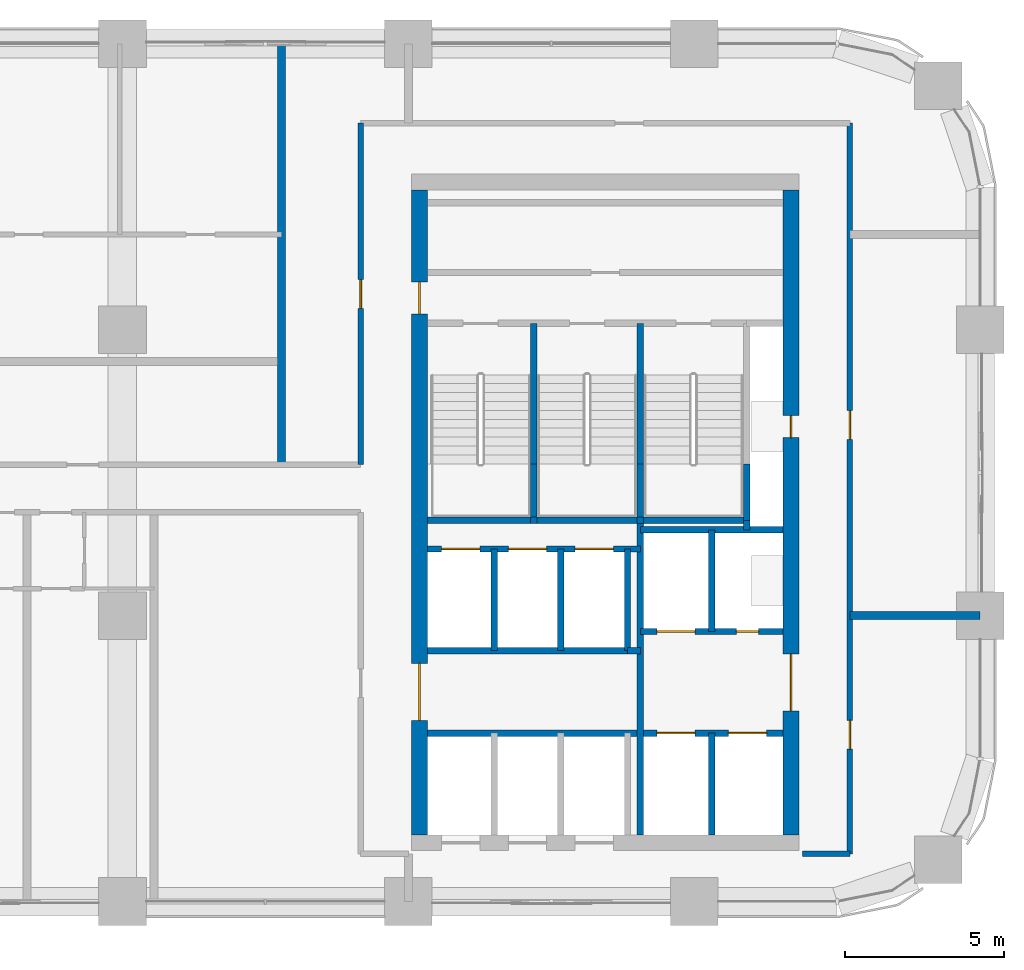
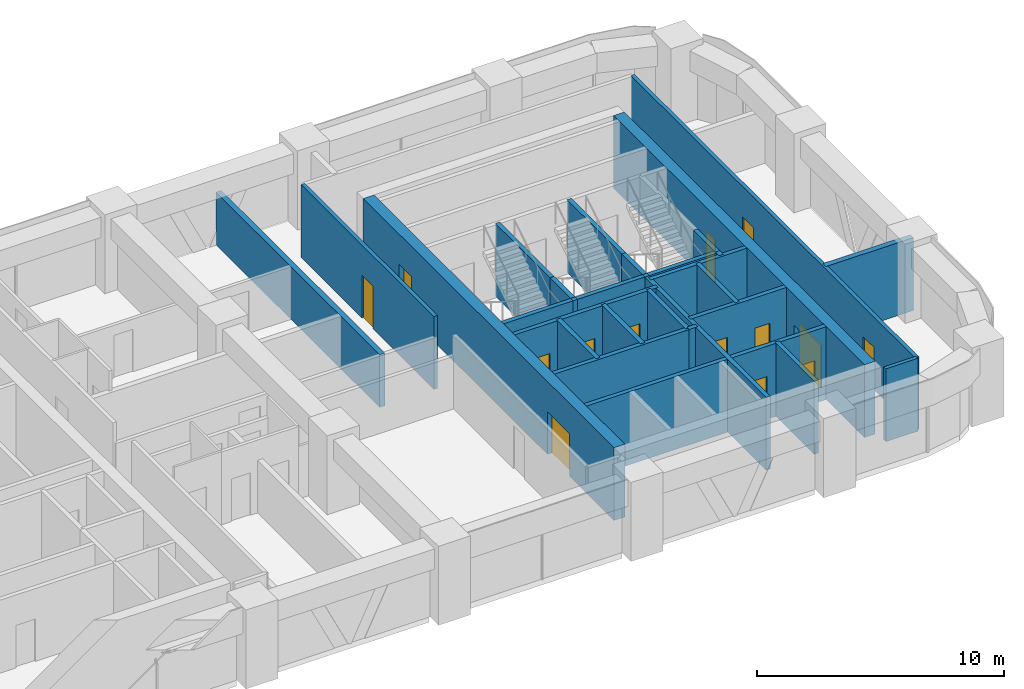
# One storey, part 11 of 14: 30 walls, 14 doors, 14 openings.
"""IFC4 building model written with IfcOpenShell, lengths in metres."""

from ifc_helpers import new_model, si_unit, direction, frame, frame_2d, origin, place, context, subcontext, project, spatial, rectangle, extrude, material, layer, layer_set, type_object, element, fill, save


model = new_model("IFC4")

# Units and contexts
model_context = context("Model", 3, precision=1e-05, world=origin(), true_north=direction((0.0, 1.0)))
body_context = subcontext(model_context, "Body", "Model", "MODEL_VIEW")
ifc_project = project(units=[si_unit("LENGTHUNIT", "METRE"), si_unit("AREAUNIT", "SQUARE_METRE"), si_unit("VOLUMEUNIT", "CUBIC_METRE"), si_unit("PLANEANGLEUNIT", "RADIAN"), si_unit("MASSUNIT", "GRAM", prefix="KILO")], contexts=[model_context])

# Site, building, storey
site_placement = place(None, origin())
site = spatial("IfcSite", under=ifc_project, at=site_placement, CompositionType="ELEMENT")
building_placement = place(site_placement, origin())
building = spatial("IfcBuilding", under=site, at=building_placement, Name="Tessera Arch", CompositionType="ELEMENT")
storey_placement = place(building_placement, frame((0.0, 0.0, 173.89990234375)))
storey = spatial("IfcBuildingStorey", under=building, at=storey_placement, Name="L41", CompositionType="ELEMENT", Elevation=173.89990234375)

# Wall
ifc_material_1 = material(Name="Gypsum board on steel stud", Category="steel")
ifc_layer_1 = layer(ifc_material_1, 0.125)
ifc_layer_set_1 = layer_set([ifc_layer_1], Name="Core partition 125 EI 60")
wall_type_1 = type_object("IfcWallType", Name="Core partition 125 EI 60", PredefinedType="PARTITIONING", material=ifc_layer_set_1)
wall_1_placement = place(storey_placement, frame((42.89990234375, 34.89990234375, 0.0), z_axis=(0.0, 0.0, 1.0), x_axis=(1.0, 0.0, 0.0)))
element("IfcWall", 1, at=wall_1_placement, inside=storey, type_object=wall_type_1, Name="L41 C1 partition wall 18", PredefinedType="PARTITIONING", context=body_context, shape_type="SweptSolid", body=[
    extrude(rectangle(XDim=0.400146484375, YDim=0.199951171875, at=frame_2d((0.2001953125, 0.0))), origin(), (0.0, 0.0, 1.0), 3.60009765625),
])

# Wall, openings, doors
ifc_material_2 = material(Name="Concrete C60/75", Category="concrete")
ifc_layer_2 = layer(ifc_material_2, 0.5)
ifc_layer_set_2 = layer_set([ifc_layer_2], Name="Core shell wall 500 C60-75")
wall_type_2 = type_object("IfcWallType", Name="Core shell wall 500 C60-75", PredefinedType="SHEAR", material=ifc_layer_set_2)
wall_2_placement = place(storey_placement, frame((36.35009765625, 29.10009765625, 0.0), z_axis=(0.0, 0.0, 1.0), x_axis=(0.0, 1.0, 0.0)))
wall_2 = element("IfcWall", 2, at=wall_2_placement, inside=storey, type_object=wall_type_2, Name="L41 C1 core wall W", PredefinedType="SHEAR", context=body_context, shape_type="SweptSolid", body=[
    extrude(rectangle(XDim=20.2998046875, YDim=0.5, at=frame_2d((10.14990234375, 0.0))), origin(), (0.0, 0.0, 1.0), 3.60009765625),
])
opening_1_placement = place(wall_2_placement, frame((3.60009765625, 0.0, 0.0)))
opening_1 = element("IfcOpeningElement", 3, at=opening_1_placement, cuts=wall_2, Name="Opening L41-C10", PredefinedType="OPENING", context=body_context, shape_type="SweptSolid", body=[
    extrude(rectangle(XDim=1.800048828125, YDim=2.10009765625, at=frame_2d((0.89990234375, 1.050048828125))), frame((0.0, 0.260009765625, 0.0), z_axis=(0.0, -1.0, 0.0), x_axis=(1.0, 0.0, 0.0)), (0.0, 0.0, 1.0), 0.52001953125),
])
opening_2_placement = place(wall_2_placement, frame((16.39990234375, 0.0, 0.0)))
opening_2 = element("IfcOpeningElement", 4, at=opening_2_placement, cuts=wall_2, Name="Opening L41-C17", PredefinedType="OPENING", context=body_context, shape_type="SweptSolid", body=[
    extrude(rectangle(XDim=1.0, YDim=2.10009765625, at=frame_2d((0.5, 1.050048828125))), frame((0.0, 0.260009765625, 0.0), z_axis=(0.0, -1.0, 0.0), x_axis=(1.0, 0.0, 0.0)), (0.0, 0.0, 1.0), 0.52001953125),
])
ifc_material_3 = material(Name="Steel door leaf", Category="steel")
door_type_1 = type_object("IfcDoorType", Name="Corridor door FD60 1000 x 2100", OperationType="SINGLE_SWING_LEFT", PredefinedType="DOOR", material=ifc_material_3)
door_1_placement = place(opening_2_placement, origin())
door_1 = element("IfcDoor", 5, at=door_1_placement, inside=storey, type_object=door_type_1, Name="L41 C1 door 17 C17 type D12", OperationType="SINGLE_SWING_RIGHT", OverallHeight=2.10009765625, OverallWidth=1.0, PredefinedType="DOOR", context=body_context, shape_type="SweptSolid", body=[
    extrude(rectangle(XDim=1.0, YDim=2.10009765625, at=frame_2d((0.5, 1.050048828125))), frame((0.0, 0.02490234375, 0.0), z_axis=(0.0, -1.0, 0.0), x_axis=(1.0, 0.0, 0.0)), (0.0, 0.0, 1.0), 0.050048828125),
])
fill(opening_2, door_1)
ifc_material_4 = material(Name="Glazed steel door leaf", Category="steel")
door_type_2 = type_object("IfcDoorType", Name="Lobby double door FD30S 1800 x 2100", OperationType="DOUBLE_DOOR_SINGLE_SWING", PredefinedType="DOOR", material=ifc_material_4)
door_2_placement = place(opening_1_placement, origin())
door_2 = element("IfcDoor", 6, at=door_2_placement, inside=storey, type_object=door_type_2, Name="L41 C1 door 10 C10 type D06", OperationType="DOUBLE_DOOR_SINGLE_SWING", OverallHeight=2.10009765625, OverallWidth=1.800048828125, PredefinedType="DOOR", context=body_context, shape_type="SweptSolid", body=[
    extrude(rectangle(XDim=1.800048828125, YDim=2.10009765625, at=frame_2d((0.89990234375, 1.050048828125))), frame((0.0, 0.02490234375, 0.0), z_axis=(0.0, -1.0, 0.0), x_axis=(1.0, 0.0, 0.0)), (0.0, 0.0, 1.0), 0.050048828125),
])
fill(opening_1, door_2)

wall_3_placement = place(storey_placement, frame((48.050048828125, 29.10009765625, 0.0), z_axis=(0.0, 0.0, 1.0), x_axis=(0.0, 1.0, 0.0)))
wall_3 = element("IfcWall", 7, at=wall_3_placement, inside=storey, type_object=wall_type_2, Name="L41 C1 core wall E", PredefinedType="SHEAR", context=body_context, shape_type="SweptSolid", body=[
    extrude(rectangle(XDim=20.2998046875, YDim=0.5, at=frame_2d((10.14990234375, 0.0))), origin(), (0.0, 0.0, 1.0), 3.60009765625),
])
opening_3_placement = place(wall_3_placement, frame((12.5, 0.0, 0.0)))
opening_3 = element("IfcOpeningElement", 8, at=opening_3_placement, cuts=wall_3, Name="Opening L41-C14", PredefinedType="OPENING", context=body_context, shape_type="SweptSolid", body=[
    extrude(rectangle(XDim=0.699951171875, YDim=2.10009765625, at=frame_2d((0.35009765625, 1.050048828125))), frame((0.0, 0.260009765625, 0.0), z_axis=(0.0, -1.0, 0.0), x_axis=(1.0, 0.0, 0.0)), (0.0, 0.0, 1.0), 0.52001953125),
])
opening_4_placement = place(wall_3_placement, frame((3.89990234375, 0.0, 0.0)))
opening_4 = element("IfcOpeningElement", 9, at=opening_4_placement, cuts=wall_3, Name="Opening L41-C15", PredefinedType="OPENING", context=body_context, shape_type="SweptSolid", body=[
    extrude(rectangle(XDim=1.800048828125, YDim=2.10009765625, at=frame_2d((0.89990234375, 1.050048828125))), frame((0.0, 0.260009765625, 0.0), z_axis=(0.0, -1.0, 0.0), x_axis=(1.0, 0.0, 0.0)), (0.0, 0.0, 1.0), 0.52001953125),
])
ifc_material_5 = material(Name="Glazed steel door leaf", Category="steel")
door_type_3 = type_object("IfcDoorType", Name="Lobby double door FD60 1800 x 2100", OperationType="DOUBLE_DOOR_SINGLE_SWING", PredefinedType="DOOR", material=ifc_material_5)
door_3_placement = place(opening_4_placement, origin())
door_3 = element("IfcDoor", 10, at=door_3_placement, inside=storey, type_object=door_type_3, Name="L41 C1 door 15 C15 type D19", OperationType="DOUBLE_DOOR_SINGLE_SWING", OverallHeight=2.10009765625, OverallWidth=1.800048828125, PredefinedType="DOOR", context=body_context, shape_type="SweptSolid", body=[
    extrude(rectangle(XDim=1.800048828125, YDim=2.10009765625, at=frame_2d((0.89990234375, 1.050048828125))), frame((0.0, 0.02490234375, 0.0), z_axis=(0.0, -1.0, 0.0), x_axis=(1.0, 0.0, 0.0)), (0.0, 0.0, 1.0), 0.050048828125),
])
fill(opening_4, door_3)
ifc_material_6 = material(Name="Steel door leaf", Category="steel")
door_type_4 = type_object("IfcDoorType", Name="Service shaft door FD60 700 x 2100", OperationType="SINGLE_SWING_LEFT", PredefinedType="DOOR", material=ifc_material_6)
door_4_placement = place(opening_3_placement, origin())
door_4 = element("IfcDoor", 11, at=door_4_placement, inside=storey, type_object=door_type_4, Name="L41 C1 door 14 C14 type D07", OperationType="SINGLE_SWING_RIGHT", OverallHeight=2.10009765625, OverallWidth=0.699951171875, PredefinedType="DOOR", context=body_context, shape_type="SweptSolid", body=[
    extrude(rectangle(XDim=0.699951171875, YDim=2.10009765625, at=frame_2d((0.35009765625, 1.050048828125))), frame((0.0, 0.02490234375, 0.0), z_axis=(0.0, -1.0, 0.0), x_axis=(1.0, 0.0, 0.0)), (0.0, 0.0, 1.0), 0.050048828125),
])
fill(opening_3, door_4)

# Wall
ifc_material_7 = material(Name="Gypsum board on deep steel stud with mineral wool", Category="steel")
ifc_layer_3 = layer(ifc_material_7, 0.175048828125)
ifc_layer_set_3 = layer_set([ifc_layer_3], Name="Corridor wall 175 EI 60")
wall_type_3 = type_object("IfcWallType", Name="Corridor wall 175 EI 60", PredefinedType="PARTITIONING", material=ifc_layer_set_3)
wall_4_placement = place(storey_placement, frame((48.39990234375, 28.5, 0.0), z_axis=(0.0, 0.0, 1.0), x_axis=(1.0, 0.0, 0.0)))
element("IfcWall", 12, at=wall_4_placement, inside=storey, type_object=wall_type_3, Name="L41 partition 4", PredefinedType="PARTITIONING", context=body_context, shape_type="SweptSolid", body=[
    extrude(rectangle(XDim=1.5, YDim=0.175048828125, at=frame_2d((0.75, 0.0))), origin(), (0.0, 0.0, 1.0), 3.60009765625),
])

# Wall, opening, door
wall_5_placement = place(storey_placement, frame((34.5, 40.75, 0.0), z_axis=(0.0, 0.0, 1.0), x_axis=(0.0, 1.0, 0.0)))
wall_5 = element("IfcWall", 13, at=wall_5_placement, inside=storey, type_object=wall_type_3, Name="L41 partition 13", PredefinedType="PARTITIONING", context=body_context, shape_type="SweptSolid", body=[
    extrude(rectangle(XDim=10.75, YDim=0.175048828125, at=frame_2d((5.375, 0.0))), origin(), (0.0, 0.0, 1.0), 3.60009765625),
])
opening_5_placement = place(wall_5_placement, frame((4.925048828125, 0.0, 0.0)))
opening_5 = element("IfcOpeningElement", 14, at=opening_5_placement, cuts=wall_5, Name="Opening L41-D013", PredefinedType="OPENING", context=body_context, shape_type="SweptSolid", body=[
    extrude(rectangle(XDim=0.89990234375, YDim=2.10009765625, at=frame_2d((0.449951171875, 1.050048828125))), frame((0.0, 0.097412109375, 0.0), z_axis=(0.0, -1.0, 0.0), x_axis=(1.0, 0.0, 0.0)), (0.0, 0.0, 1.0), 0.195068359375),
])
ifc_material_8 = material(Name="Timber door leaf", Category="wood")
door_type_5 = type_object("IfcDoorType", Name="Room door 900 x 2100", OperationType="SINGLE_SWING_LEFT", PredefinedType="DOOR", material=ifc_material_8)
door_5_placement = place(opening_5_placement, origin())
door_5 = element("IfcDoor", 15, at=door_5_placement, inside=storey, type_object=door_type_5, Name="L41 door D013 type D01", OperationType="SINGLE_SWING_RIGHT", OverallHeight=2.10009765625, OverallWidth=0.89990234375, PredefinedType="DOOR", context=body_context, shape_type="SweptSolid", body=[
    extrude(rectangle(XDim=0.89990234375, YDim=2.10009765625, at=frame_2d((0.449951171875, 1.050048828125))), frame((0.0, 0.02490234375, 0.0), z_axis=(0.0, -1.0, 0.0), x_axis=(1.0, 0.0, 0.0)), (0.0, 0.0, 1.0), 0.050048828125),
])
fill(opening_5, door_5)

# Wall, openings, doors
wall_6_placement = place(storey_placement, frame((49.89990234375, 28.5, 0.0), z_axis=(0.0, 0.0, 1.0), x_axis=(0.0, 1.0, 0.0)))
wall_6 = element("IfcWall", 16, at=wall_6_placement, inside=storey, type_object=wall_type_3, Name="L41 partition 14", PredefinedType="PARTITIONING", context=body_context, shape_type="SweptSolid", body=[
    extrude(rectangle(XDim=23.0, YDim=0.175048828125, at=frame_2d((11.5, 0.0))), origin(), (0.0, 0.0, 1.0), 3.60009765625),
])
opening_6_placement = place(wall_6_placement, frame((3.300048828125, 0.0, 0.0)))
opening_6 = element("IfcOpeningElement", 17, at=opening_6_placement, cuts=wall_6, Name="Opening L41-D001", PredefinedType="OPENING", context=body_context, shape_type="SweptSolid", body=[
    extrude(rectangle(XDim=0.89990234375, YDim=2.10009765625, at=frame_2d((0.449951171875, 1.050048828125))), frame((0.0, 0.097412109375, 0.0), z_axis=(0.0, -1.0, 0.0), x_axis=(1.0, 0.0, 0.0)), (0.0, 0.0, 1.0), 0.195068359375),
])
opening_7_placement = place(wall_6_placement, frame((13.050048828125, 0.0, 0.0)))
opening_7 = element("IfcOpeningElement", 18, at=opening_7_placement, cuts=wall_6, Name="Opening L41-D011", PredefinedType="OPENING", context=body_context, shape_type="SweptSolid", body=[
    extrude(rectangle(XDim=0.89990234375, YDim=2.10009765625, at=frame_2d((0.449951171875, 1.050048828125))), frame((0.0, 0.097412109375, 0.0), z_axis=(0.0, -1.0, 0.0), x_axis=(1.0, 0.0, 0.0)), (0.0, 0.0, 1.0), 0.195068359375),
])
door_6_placement = place(opening_6_placement, origin())
door_6 = element("IfcDoor", 19, at=door_6_placement, inside=storey, type_object=door_type_5, Name="L41 door D001 type D01", OperationType="SINGLE_SWING_RIGHT", OverallHeight=2.10009765625, OverallWidth=0.89990234375, PredefinedType="DOOR", context=body_context, shape_type="SweptSolid", body=[
    extrude(rectangle(XDim=0.89990234375, YDim=2.10009765625, at=frame_2d((0.449951171875, 1.050048828125))), frame((0.0, 0.02490234375, 0.0), z_axis=(0.0, -1.0, 0.0), x_axis=(1.0, 0.0, 0.0)), (0.0, 0.0, 1.0), 0.050048828125),
])
fill(opening_6, door_6)
door_7_placement = place(opening_7_placement, origin())
door_7 = element("IfcDoor", 20, at=door_7_placement, inside=storey, type_object=door_type_5, Name="L41 door D011 type D01", OperationType="SINGLE_SWING_LEFT", OverallHeight=2.10009765625, OverallWidth=0.89990234375, PredefinedType="DOOR", context=body_context, shape_type="SweptSolid", body=[
    extrude(rectangle(XDim=0.89990234375, YDim=2.10009765625, at=frame_2d((0.449951171875, 1.050048828125))), frame((0.0, 0.02490234375, 0.0), z_axis=(0.0, -1.0, 0.0), x_axis=(1.0, 0.0, 0.0)), (0.0, 0.0, 1.0), 0.050048828125),
])
fill(opening_7, door_7)

# Walls
ifc_material_9 = material(Name="Double gypsum board on twin steel stud with acoustic mineral wool", Category="steel")
ifc_layer_4 = layer(ifc_material_9, 0.25)
ifc_layer_set_4 = layer_set([ifc_layer_4], Name="Party wall 250 EI 60")
wall_type_4 = type_object("IfcWallType", Name="Party wall 250 EI 60", PredefinedType="PARTITIONING", material=ifc_layer_set_4)
wall_7_placement = place(storey_placement, frame((49.89990234375, 36.0, 0.0), z_axis=(0.0, 0.0, 1.0), x_axis=(1.0, 0.0, 0.0)))
element("IfcWall", 21, at=wall_7_placement, inside=storey, type_object=wall_type_4, Name="L41 partition 20", PredefinedType="PARTITIONING", context=body_context, shape_type="SweptSolid", body=[
    extrude(rectangle(XDim=4.10009765625, YDim=0.25, at=frame_2d((2.050048828125, 0.0))), origin(), (0.0, 0.0, 1.0), 3.60009765625),
])
wall_8_placement = place(storey_placement, frame((32.0, 40.75, 0.0), z_axis=(0.0, 0.0, 1.0), x_axis=(0.0, 1.0, 0.0)))
element("IfcWall", 22, at=wall_8_placement, inside=storey, type_object=wall_type_4, Name="L41 partition 29", PredefinedType="PARTITIONING", context=body_context, shape_type="SweptSolid", body=[
    extrude(rectangle(XDim=13.25, YDim=0.25, at=frame_2d((6.625, 0.0))), origin(), (0.0, 0.0, 1.0), 2.60009765625),
])
ifc_material_10 = material(Name="Concrete C40/50", Category="concrete")
ifc_layer_5 = layer(ifc_material_10, 0.199951171875)
ifc_layer_set_5 = layer_set([ifc_layer_5], Name="Shaft wall 200 EI 120")
wall_type_5 = type_object("IfcWallType", Name="Shaft wall 200 EI 120", PredefinedType="SOLIDWALL", material=ifc_layer_set_5)
for number, where, z_axis, x_axis, name in (
    (23, (38.699951171875, 34.89990234375, 0.0), (0.0, 0.0, 1.0), (0.0, 1.0, 0.0), "L41 C1 shaft wall 2"),
    (24, (40.800048828125, 34.89990234375, 0.0), (0.0, 0.0, 1.0), (0.0, 1.0, 0.0), "L41 C1 shaft wall 6"),
    (25, (42.89990234375, 34.89990234375, 0.0), (0.0, 0.0, 1.0), (0.0, 1.0, 0.0), "L41 C1 shaft wall 8"),
):
    element("IfcWall", number, at=place(storey_placement, frame(where, z_axis=z_axis, x_axis=x_axis)), inside=storey, type_object=wall_type_5, Name=name, PredefinedType="SOLIDWALL", context=body_context, shape_type="SweptSolid", body=[
        extrude(rectangle(XDim=3.2001953125, YDim=0.199951171875, at=frame_2d((1.60009765625, 0.0))), origin(), (0.0, 0.0, 1.0), 3.60009765625),
    ])
wall_9_placement = place(storey_placement, frame((43.300048828125, 29.10009765625, 0.0), z_axis=(0.0, 0.0, 1.0), x_axis=(0.0, 1.0, 0.0)))
element("IfcWall", 26, at=wall_9_placement, inside=storey, type_object=wall_type_5, Name="L41 C1 shaft wall 9", PredefinedType="SOLIDWALL", context=body_context, shape_type="SweptSolid", body=[
    extrude(rectangle(XDim=9.89990234375, YDim=0.199951171875, at=frame_2d((4.949951171875, 0.0))), origin(), (0.0, 0.0, 1.0), 3.60009765625),
])
for number, where, z_axis, x_axis, name in (
    (27, (45.550048828125, 29.10009765625, 0.0), (0.0, 0.0, 1.0), (0.0, 1.0, 0.0), "L41 C1 shaft wall 12"),
    (28, (45.550048828125, 35.5, 0.0), (0.0, 0.0, 1.0), (0.0, 1.0, 0.0), "L41 C1 shaft wall 13"),
):
    element("IfcWall", number, at=place(storey_placement, frame(where, z_axis=z_axis, x_axis=x_axis)), inside=storey, type_object=wall_type_5, Name=name, PredefinedType="SOLIDWALL", context=body_context, shape_type="SweptSolid", body=[
        extrude(rectangle(XDim=3.199951171875, YDim=0.199951171875, at=frame_2d((1.60009765625, 0.0))), origin(), (0.0, 0.0, 1.0), 3.60009765625),
    ])
wall_10_placement = place(storey_placement, frame((46.64990234375, 38.699951171875, 0.0), z_axis=(0.0, 0.0, 1.0), x_axis=(0.0, 1.0, 0.0)))
element("IfcWall", 29, at=wall_10_placement, inside=storey, type_object=wall_type_5, Name="L41 C1 shaft wall 14", PredefinedType="SOLIDWALL", context=body_context, shape_type="SweptSolid", body=[
    extrude(rectangle(XDim=0.300048828125, YDim=0.199951171875, at=frame_2d((0.14990234375, 0.0))), origin(), (0.0, 0.0, 1.0), 3.60009765625),
])

# Wall, openings, doors
wall_11_placement = place(storey_placement, frame((36.60009765625, 32.300048828125, 0.0), z_axis=(0.0, 0.0, 1.0), x_axis=(1.0, 0.0, 0.0)))
wall_11 = element("IfcWall", 30, at=wall_11_placement, inside=storey, type_object=wall_type_5, Name="L41 C1 shaft wall 17", PredefinedType="SOLIDWALL", context=body_context, shape_type="SweptSolid", body=[
    extrude(rectangle(XDim=11.199951171875, YDim=0.199951171875, at=frame_2d((5.60009765625, 0.0))), origin(), (0.0, 0.0, 1.0), 3.60009765625),
])
opening_8_placement = place(wall_11_placement, frame((7.22509765625, 0.0, 0.0)))
opening_8 = element("IfcOpeningElement", 31, at=opening_8_placement, cuts=wall_11, Name="Opening L41-C07", PredefinedType="OPENING", context=body_context, shape_type="SweptSolid", body=[
    extrude(rectangle(XDim=1.199951171875, YDim=2.10009765625, at=frame_2d((0.60009765625, 1.050048828125))), frame((0.0, 0.10986328125, 0.0), z_axis=(0.0, -1.0, 0.0), x_axis=(1.0, 0.0, 0.0)), (0.0, 0.0, 1.0), 0.219970703125),
])
opening_9_placement = place(wall_11_placement, frame((9.47509765625, 0.0, 0.0)))
opening_9 = element("IfcOpeningElement", 32, at=opening_9_placement, cuts=wall_11, Name="Opening L41-C08", PredefinedType="OPENING", context=body_context, shape_type="SweptSolid", body=[
    extrude(rectangle(XDim=1.199951171875, YDim=2.10009765625, at=frame_2d((0.60009765625, 1.050048828125))), frame((0.0, 0.10986328125, 0.0), z_axis=(0.0, -1.0, 0.0), x_axis=(1.0, 0.0, 0.0)), (0.0, 0.0, 1.0), 0.219970703125),
])
ifc_material_11 = material(Name="Stainless steel AISI 304", Category="steel")
door_type_6 = type_object("IfcDoorType", Name="Sliding landing door 1200 x 2100", OperationType="SLIDING_TO_LEFT", PredefinedType="DOOR", material=ifc_material_11)
door_8_placement = place(opening_8_placement, origin())
door_8 = element("IfcDoor", 33, at=door_8_placement, inside=storey, type_object=door_type_6, Name="L41 FF1 lift landing door C07 type LD", OperationType="SLIDING_TO_LEFT", OverallHeight=2.10009765625, OverallWidth=1.199951171875, PredefinedType="DOOR", context=body_context, shape_type="SweptSolid", body=[
    extrude(rectangle(XDim=1.199951171875, YDim=2.10009765625, at=frame_2d((0.60009765625, 1.050048828125))), frame((0.0, 0.02490234375, 0.0), z_axis=(0.0, -1.0, 0.0), x_axis=(1.0, 0.0, 0.0)), (0.0, 0.0, 1.0), 0.050048828125),
])
fill(opening_8, door_8)
door_9_placement = place(opening_9_placement, origin())
door_9 = element("IfcDoor", 34, at=door_9_placement, inside=storey, type_object=door_type_6, Name="L41 FF2 lift landing door C08 type LD", OperationType="SLIDING_TO_LEFT", OverallHeight=2.10009765625, OverallWidth=1.199951171875, PredefinedType="DOOR", context=body_context, shape_type="SweptSolid", body=[
    extrude(rectangle(XDim=1.199951171875, YDim=2.10009765625, at=frame_2d((0.60009765625, 1.050048828125))), frame((0.0, 0.02490234375, 0.0), z_axis=(0.0, -1.0, 0.0), x_axis=(1.0, 0.0, 0.0)), (0.0, 0.0, 1.0), 0.050048828125),
])
fill(opening_9, door_9)

# Wall
wall_12_placement = place(storey_placement, frame((36.60009765625, 34.89990234375, 0.0), z_axis=(0.0, 0.0, 1.0), x_axis=(1.0, 0.0, 0.0)))
element("IfcWall", 35, at=wall_12_placement, inside=storey, type_object=wall_type_5, Name="L41 C1 shaft wall 19", PredefinedType="SOLIDWALL", context=body_context, shape_type="SweptSolid", body=[
    extrude(rectangle(XDim=6.2998046875, YDim=0.199951171875, at=frame_2d((3.14990234375, 0.0))), origin(), (0.0, 0.0, 1.0), 3.60009765625),
])

# Wall, openings, doors
wall_13_placement = place(storey_placement, frame((43.300048828125, 35.5, 0.0), z_axis=(0.0, 0.0, 1.0), x_axis=(1.0, 0.0, 0.0)))
wall_13 = element("IfcWall", 36, at=wall_13_placement, inside=storey, type_object=wall_type_5, Name="L41 C1 shaft wall 20", PredefinedType="SOLIDWALL", context=body_context, shape_type="SweptSolid", body=[
    extrude(rectangle(XDim=4.5, YDim=0.199951171875, at=frame_2d((2.25, 0.0))), origin(), (0.0, 0.0, 1.0), 3.60009765625),
])
opening_10_placement = place(wall_13_placement, frame((0.52490234375, 0.0, 0.0)))
opening_10 = element("IfcOpeningElement", 37, at=opening_10_placement, cuts=wall_13, Name="Opening L41-C09", PredefinedType="OPENING", context=body_context, shape_type="SweptSolid", body=[
    extrude(rectangle(XDim=1.199951171875, YDim=2.10009765625, at=frame_2d((0.60009765625, 1.050048828125))), frame((0.0, 0.10986328125, 0.0), z_axis=(0.0, -1.0, 0.0), x_axis=(1.0, 0.0, 0.0)), (0.0, 0.0, 1.0), 0.219970703125),
])
opening_11_placement = place(wall_13_placement, frame((3.02490234375, 0.0, 0.0)))
opening_11 = element("IfcOpeningElement", 38, at=opening_11_placement, cuts=wall_13, Name="Opening L41-C16", PredefinedType="OPENING", context=body_context, shape_type="SweptSolid", body=[
    extrude(rectangle(XDim=0.699951171875, YDim=2.10009765625, at=frame_2d((0.35009765625, 1.050048828125))), frame((0.0, 0.10986328125, 0.0), z_axis=(0.0, -1.0, 0.0), x_axis=(1.0, 0.0, 0.0)), (0.0, 0.0, 1.0), 0.219970703125),
])
door_10_placement = place(opening_11_placement, origin())
door_10 = element("IfcDoor", 39, at=door_10_placement, inside=storey, type_object=door_type_4, Name="L41 C1 door 16 C16 type D07", OperationType="SINGLE_SWING_RIGHT", OverallHeight=2.10009765625, OverallWidth=0.699951171875, PredefinedType="DOOR", context=body_context, shape_type="SweptSolid", body=[
    extrude(rectangle(XDim=0.699951171875, YDim=2.10009765625, at=frame_2d((0.35009765625, 1.050048828125))), frame((0.0, 0.02490234375, 0.0), z_axis=(0.0, -1.0, 0.0), x_axis=(1.0, 0.0, 0.0)), (0.0, 0.0, 1.0), 0.050048828125),
])
fill(opening_11, door_10)
door_11_placement = place(opening_10_placement, origin())
door_11 = element("IfcDoor", 40, at=door_11_placement, inside=storey, type_object=door_type_6, Name="L41 SV2 lift landing door C09 type LD", OperationType="SLIDING_TO_LEFT", OverallHeight=2.10009765625, OverallWidth=1.199951171875, PredefinedType="DOOR", context=body_context, shape_type="SweptSolid", body=[
    extrude(rectangle(XDim=1.199951171875, YDim=2.10009765625, at=frame_2d((0.60009765625, 1.050048828125))), frame((0.0, 0.02490234375, 0.0), z_axis=(0.0, -1.0, 0.0), x_axis=(1.0, 0.0, 0.0)), (0.0, 0.0, 1.0), 0.050048828125),
])
fill(opening_10, door_11)

wall_14_placement = place(storey_placement, frame((36.60009765625, 38.10009765625, 0.0), z_axis=(0.0, 0.0, 1.0), x_axis=(1.0, 0.0, 0.0)))
wall_14 = element("IfcWall", 41, at=wall_14_placement, inside=storey, type_object=wall_type_5, Name="L41 C1 shaft wall 21", PredefinedType="SOLIDWALL", context=body_context, shape_type="SweptSolid", body=[
    extrude(rectangle(XDim=6.699951171875, YDim=0.199951171875, at=frame_2d((3.35009765625, 0.0))), origin(), (0.0, 0.0, 1.0), 3.60009765625),
])
opening_12_placement = place(wall_14_placement, frame((0.449951171875, 0.0, 0.0)))
opening_12 = element("IfcOpeningElement", 42, at=opening_12_placement, cuts=wall_14, Name="Opening L41-C02", PredefinedType="OPENING", context=body_context, shape_type="SweptSolid", body=[
    extrude(rectangle(XDim=1.199951171875, YDim=2.10009765625, at=frame_2d((0.60009765625, 1.050048828125))), frame((0.0, 0.10986328125, 0.0), z_axis=(0.0, -1.0, 0.0), x_axis=(1.0, 0.0, 0.0)), (0.0, 0.0, 1.0), 0.219970703125),
])
opening_13_placement = place(wall_14_placement, frame((2.550048828125, 0.0, 0.0)))
opening_13 = element("IfcOpeningElement", 43, at=opening_13_placement, cuts=wall_14, Name="Opening L41-C04", PredefinedType="OPENING", context=body_context, shape_type="SweptSolid", body=[
    extrude(rectangle(XDim=1.199951171875, YDim=2.10009765625, at=frame_2d((0.60009765625, 1.050048828125))), frame((0.0, 0.10986328125, 0.0), z_axis=(0.0, -1.0, 0.0), x_axis=(1.0, 0.0, 0.0)), (0.0, 0.0, 1.0), 0.219970703125),
])
opening_14_placement = place(wall_14_placement, frame((4.64990234375, 0.0, 0.0)))
opening_14 = element("IfcOpeningElement", 44, at=opening_14_placement, cuts=wall_14, Name="Opening L41-C06", PredefinedType="OPENING", context=body_context, shape_type="SweptSolid", body=[
    extrude(rectangle(XDim=1.199951171875, YDim=2.10009765625, at=frame_2d((0.60009765625, 1.050048828125))), frame((0.0, 0.10986328125, 0.0), z_axis=(0.0, -1.0, 0.0), x_axis=(1.0, 0.0, 0.0)), (0.0, 0.0, 1.0), 0.219970703125),
])
door_12_placement = place(opening_12_placement, origin())
door_12 = element("IfcDoor", 45, at=door_12_placement, inside=storey, type_object=door_type_6, Name="L41 HR4 lift landing door C02 type LD", OperationType="SLIDING_TO_LEFT", OverallHeight=2.10009765625, OverallWidth=1.199951171875, PredefinedType="DOOR", context=body_context, shape_type="SweptSolid", body=[
    extrude(rectangle(XDim=1.199951171875, YDim=2.10009765625, at=frame_2d((0.60009765625, 1.050048828125))), frame((0.0, 0.02490234375, 0.0), z_axis=(0.0, -1.0, 0.0), x_axis=(1.0, 0.0, 0.0)), (0.0, 0.0, 1.0), 0.050048828125),
])
fill(opening_12, door_12)
door_13_placement = place(opening_13_placement, origin())
door_13 = element("IfcDoor", 46, at=door_13_placement, inside=storey, type_object=door_type_6, Name="L41 HR5 lift landing door C04 type LD", OperationType="SLIDING_TO_LEFT", OverallHeight=2.10009765625, OverallWidth=1.199951171875, PredefinedType="DOOR", context=body_context, shape_type="SweptSolid", body=[
    extrude(rectangle(XDim=1.199951171875, YDim=2.10009765625, at=frame_2d((0.60009765625, 1.050048828125))), frame((0.0, 0.02490234375, 0.0), z_axis=(0.0, -1.0, 0.0), x_axis=(1.0, 0.0, 0.0)), (0.0, 0.0, 1.0), 0.050048828125),
])
fill(opening_13, door_13)
door_14_placement = place(opening_14_placement, origin())
door_14 = element("IfcDoor", 47, at=door_14_placement, inside=storey, type_object=door_type_6, Name="L41 HR6 lift landing door C06 type LD", OperationType="SLIDING_TO_LEFT", OverallHeight=2.10009765625, OverallWidth=1.199951171875, PredefinedType="DOOR", context=body_context, shape_type="SweptSolid", body=[
    extrude(rectangle(XDim=1.199951171875, YDim=2.10009765625, at=frame_2d((0.60009765625, 1.050048828125))), frame((0.0, 0.02490234375, 0.0), z_axis=(0.0, -1.0, 0.0), x_axis=(1.0, 0.0, 0.0)), (0.0, 0.0, 1.0), 0.050048828125),
])
fill(opening_14, door_14)

# Walls
wall_15_placement = place(storey_placement, frame((43.300048828125, 38.699951171875, 0.0), z_axis=(0.0, 0.0, 1.0), x_axis=(1.0, 0.0, 0.0)))
element("IfcWall", 48, at=wall_15_placement, inside=storey, type_object=wall_type_5, Name="L41 C1 shaft wall 22", PredefinedType="SOLIDWALL", context=body_context, shape_type="SweptSolid", body=[
    extrude(rectangle(XDim=4.5, YDim=0.199951171875, at=frame_2d((2.25, 0.0))), origin(), (0.0, 0.0, 1.0), 3.60009765625),
])
ifc_material_12 = material(Name="Concrete C40/50", Category="concrete")
ifc_layer_6 = layer(ifc_material_12, 0.199951171875)
ifc_layer_set_6 = layer_set([ifc_layer_6], Name="Stair well wall 200 REI 180")
wall_type_6 = type_object("IfcWallType", Name="Stair well wall 200 REI 180", PredefinedType="SOLIDWALL", material=ifc_layer_set_6)
wall_16_placement = place(storey_placement, frame((39.949951171875, 39.0, 0.0), z_axis=(0.0, 0.0, 1.0), x_axis=(0.0, 1.0, 0.0)))
element("IfcWall", 49, at=wall_16_placement, inside=storey, type_object=wall_type_6, Name="L41 C1 shaft wall 3", PredefinedType="SOLIDWALL", context=body_context, shape_type="SweptSolid", body=[
    extrude(rectangle(XDim=1.780029296875, YDim=0.199951171875, at=frame_2d((0.89013671875, 0.0))), origin(), (0.0, 0.0, 1.0), 3.60009765625),
])
wall_17_placement = place(storey_placement, frame((39.949951171875, 40.780029296875, 0.0), z_axis=(0.0, 0.0, 1.0), x_axis=(0.0, 1.0, 0.0)))
element("IfcWall", 50, at=wall_17_placement, inside=storey, type_object=wall_type_6, Name="L41 C1 shaft wall 4", PredefinedType="SOLIDWALL", context=body_context, shape_type="SweptSolid", body=[
    extrude(rectangle(XDim=4.419921875, YDim=0.199951171875, at=frame_2d((2.2099609375, 0.0))), origin(), (0.0, 0.0, 1.0), 3.60009765625),
])
wall_18_placement = place(storey_placement, frame((43.300048828125, 39.0, 0.0), z_axis=(0.0, 0.0, 1.0), x_axis=(0.0, 1.0, 0.0)))
element("IfcWall", 51, at=wall_18_placement, inside=storey, type_object=wall_type_6, Name="L41 C1 shaft wall 10", PredefinedType="SOLIDWALL", context=body_context, shape_type="SweptSolid", body=[
    extrude(rectangle(XDim=1.780029296875, YDim=0.199951171875, at=frame_2d((0.89013671875, 0.0))), origin(), (0.0, 0.0, 1.0), 3.60009765625),
])
wall_19_placement = place(storey_placement, frame((43.300048828125, 40.780029296875, 0.0), z_axis=(0.0, 0.0, 1.0), x_axis=(0.0, 1.0, 0.0)))
element("IfcWall", 52, at=wall_19_placement, inside=storey, type_object=wall_type_6, Name="L41 C1 shaft wall 11", PredefinedType="SOLIDWALL", context=body_context, shape_type="SweptSolid", body=[
    extrude(rectangle(XDim=4.419921875, YDim=0.199951171875, at=frame_2d((2.2099609375, 0.0))), origin(), (0.0, 0.0, 1.0), 3.60009765625),
])
wall_20_placement = place(storey_placement, frame((46.64990234375, 39.0, 0.0), z_axis=(0.0, 0.0, 1.0), x_axis=(0.0, 1.0, 0.0)))
element("IfcWall", 53, at=wall_20_placement, inside=storey, type_object=wall_type_6, Name="L41 C1 shaft wall 15", PredefinedType="SOLIDWALL", context=body_context, shape_type="SweptSolid", body=[
    extrude(rectangle(XDim=1.780029296875, YDim=0.199951171875, at=frame_2d((0.89013671875, 0.0))), origin(), (0.0, 0.0, 1.0), 3.60009765625),
])
wall_21_placement = place(storey_placement, frame((36.60009765625, 39.0, 0.0), z_axis=(0.0, 0.0, 1.0), x_axis=(1.0, 0.0, 0.0)))
element("IfcWall", 54, at=wall_21_placement, inside=storey, type_object=wall_type_6, Name="L41 C1 shaft wall 23", PredefinedType="SOLIDWALL", context=body_context, shape_type="SweptSolid", body=[
    extrude(rectangle(XDim=3.25, YDim=0.199951171875, at=frame_2d((1.625, 0.0))), origin(), (0.0, 0.0, 1.0), 3.60009765625),
])
wall_22_placement = place(storey_placement, frame((39.85009765625, 39.0, 0.0), z_axis=(0.0, 0.0, 1.0), x_axis=(1.0, 0.0, 0.0)))
element("IfcWall", 55, at=wall_22_placement, inside=storey, type_object=wall_type_6, Name="L41 C1 shaft wall 24", PredefinedType="SOLIDWALL", context=body_context, shape_type="SweptSolid", body=[
    extrude(rectangle(XDim=0.199951171875, YDim=0.199951171875, at=frame_2d((0.10009765625, 0.0))), origin(), (0.0, 0.0, 1.0), 3.60009765625),
])
wall_23_placement = place(storey_placement, frame((40.050048828125, 39.0, 0.0), z_axis=(0.0, 0.0, 1.0), x_axis=(1.0, 0.0, 0.0)))
element("IfcWall", 56, at=wall_23_placement, inside=storey, type_object=wall_type_6, Name="L41 C1 shaft wall 25", PredefinedType="SOLIDWALL", context=body_context, shape_type="SweptSolid", body=[
    extrude(rectangle(XDim=3.14990234375, YDim=0.199951171875, at=frame_2d((1.574951171875, 0.0))), origin(), (0.0, 0.0, 1.0), 3.60009765625),
])
wall_24_placement = place(storey_placement, frame((43.199951171875, 39.0, 0.0), z_axis=(0.0, 0.0, 1.0), x_axis=(1.0, 0.0, 0.0)))
element("IfcWall", 57, at=wall_24_placement, inside=storey, type_object=wall_type_6, Name="L41 C1 shaft wall 26", PredefinedType="SOLIDWALL", context=body_context, shape_type="SweptSolid", body=[
    extrude(rectangle(XDim=0.199951171875, YDim=0.199951171875, at=frame_2d((0.10009765625, 0.0))), origin(), (0.0, 0.0, 1.0), 3.60009765625),
])
wall_25_placement = place(storey_placement, frame((43.39990234375, 39.0, 0.0), z_axis=(0.0, 0.0, 1.0), x_axis=(1.0, 0.0, 0.0)))
element("IfcWall", 58, at=wall_25_placement, inside=storey, type_object=wall_type_6, Name="L41 C1 shaft wall 27", PredefinedType="SOLIDWALL", context=body_context, shape_type="SweptSolid", body=[
    extrude(rectangle(XDim=3.25, YDim=0.199951171875, at=frame_2d((1.625, 0.0))), origin(), (0.0, 0.0, 1.0), 3.60009765625),
])

save(model, "model.ifc")
